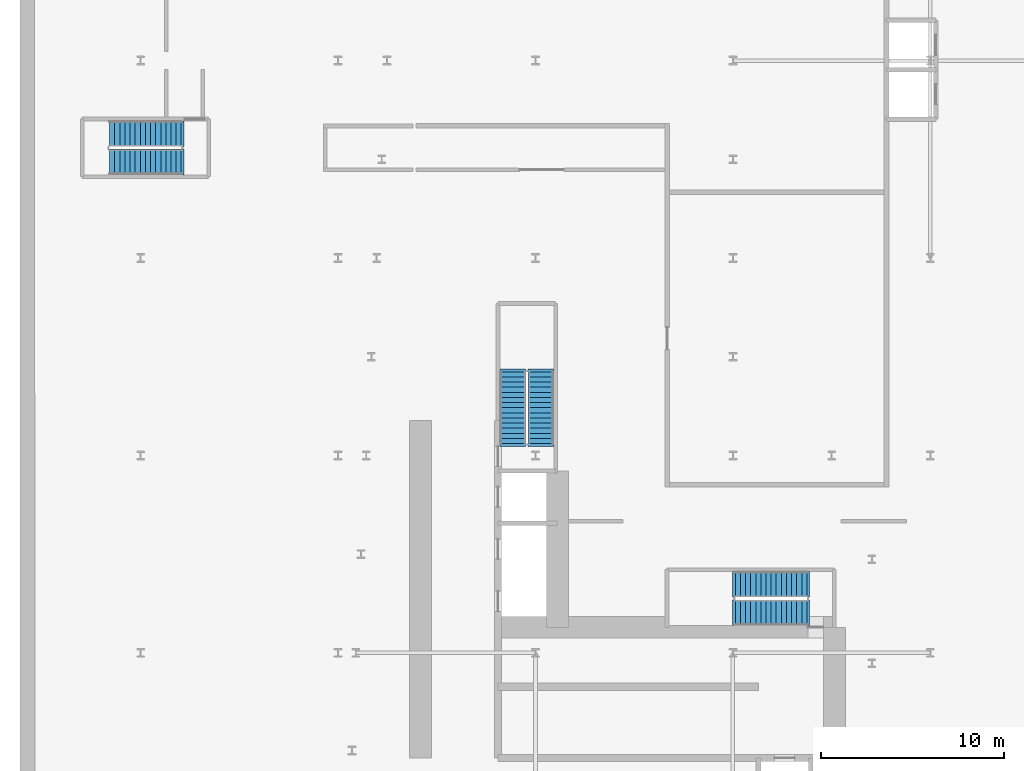
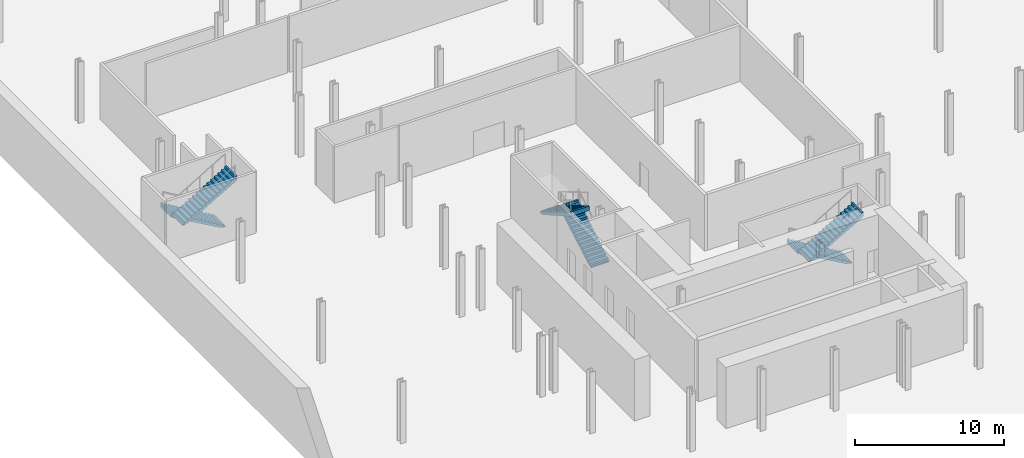
# One storey, part 15 of 19: 6 stair flights, 3 elements without a shape of their own.
"""IFC4 building model written with IfcOpenShell, lengths in metres."""

from ifc_helpers import new_model, si_unit, direction, frame, origin, place, context, subcontext, project, spatial, polyline, outline, extrude, material, layer, layer_set, type_object, element, aggregate, save


model = new_model("IFC4")

# Units and contexts
model_context = context("Model", 3, precision=1e-05, world=origin(), true_north=direction((0.0, 1.0)))
body_context = subcontext(model_context, "Body", "Model", "MODEL_VIEW")
ifc_project = project(units=[si_unit("LENGTHUNIT", "METRE"), si_unit("AREAUNIT", "SQUARE_METRE"), si_unit("VOLUMEUNIT", "CUBIC_METRE"), si_unit("PLANEANGLEUNIT", "RADIAN"), si_unit("MASSUNIT", "GRAM", prefix="KILO")], contexts=[model_context])

# Site, building, storey
site_placement = place(None, origin())
site = spatial("IfcSite", under=ifc_project, at=site_placement, CompositionType="ELEMENT")
building_placement = place(site_placement, origin())
building = spatial("IfcBuilding", under=site, at=building_placement, Name="Kheshtan School and Residences Tower", CompositionType="ELEMENT")
storey_placement = place(building_placement, frame((0.0, 0.0, -10.0)))
storey = spatial("IfcBuildingStorey", under=building, at=storey_placement, Name="B2", CompositionType="ELEMENT", Elevation=-10.0)

# Stair, stair flights
ifc_material = material(Name="Concrete C40/50", Category="concrete")
stair_type = type_object("IfcStairType", Name="Exit stair, half-turn", PredefinedType="HALF_TURN_STAIR", material=ifc_material)
stair_1_placement = place(storey_placement, origin())
stair_1 = element("IfcStair", 1, at=stair_1_placement, inside=storey, type_object=stair_type, Name="B2 Protected Exit Stair ST1", PredefinedType="HALF_TURN_STAIR")
ifc_layer = layer(ifc_material, 0.14990234375)
ifc_layer_set = layer_set([ifc_layer], Name="Stair flight 1400 Concrete C40/50")
stair_flight_type = type_object("IfcStairFlightType", Name="Stair flight 1400 Concrete C40/50", PredefinedType="STRAIGHT", material=ifc_layer_set)
stair_flight_1_placement = place(storey_placement, frame((51.64990234375, 38.550048828125, 0.0), z_axis=(0.0, 0.0, 1.0), x_axis=(-1.0, 0.0, 0.0)))
stair_flight_1 = element("IfcStairFlight", 2, at=stair_flight_1_placement, type_object=stair_flight_type, Name="ST1 flight 1", NumberOfRisers=15, NumberOfTreads=14, PredefinedType="STRAIGHT", RiserHeight=0.166666667, TreadLength=0.28, context=body_context, shape_type="SweptSolid", body=[
    extrude(outline(polyline([(-0.14990234375, -0.10009765625), (-0.14990234375, 0.0), (0.0, 0.0), (0.0, 0.166748046875), (0.280029296875, 0.166748046875), (0.280029296875, 0.333251953125), (0.56005859375, 0.333251953125), (0.56005859375, 0.5), (0.840087890625, 0.5), (0.840087890625, 0.666748046875), (1.1201171875, 0.666748046875), (1.1201171875, 0.833251953125), (1.39990234375, 0.833251953125), (1.39990234375, 1.0), (1.679931640625, 1.0), (1.679931640625, 1.166748046875), (1.9599609375, 1.166748046875), (1.9599609375, 1.333251953125), (2.239990234375, 1.333251953125), (2.239990234375, 1.5), (2.52001953125, 1.5), (2.52001953125, 1.666748046875), (2.800048828125, 1.666748046875), (2.800048828125, 1.833251953125), (3.080078125, 1.833251953125), (3.080078125, 2.0), (3.360107421875, 2.0), (3.360107421875, 2.166748046875), (3.639892578125, 2.166748046875), (3.639892578125, 2.333251953125), (3.919921875, 2.333251953125), (3.919921875, 2.5), (3.919921875, 2.52001953125), (4.06982421875, 2.52001953125), (4.06982421875, 2.158935546875), (0.29296875, 0.0), (-0.14990234375, -0.10009765625)])), frame((0.0, 0.699951171875, 0.0), z_axis=(0.0, -1.0, 0.0), x_axis=(1.0, 0.0, 0.0)), (0.0, 0.0, 1.0), 1.39990234375),
])
stair_flight_2_placement = place(storey_placement, frame((47.72998046875, 37.0, 2.5), z_axis=(0.0, 0.0, 1.0), x_axis=(1.0, 0.0, 0.0)))
stair_flight_2 = element("IfcStairFlight", 3, at=stair_flight_2_placement, type_object=stair_flight_type, Name="ST1 flight 2", NumberOfRisers=15, NumberOfTreads=14, PredefinedType="STRAIGHT", RiserHeight=0.166666667, TreadLength=0.28, context=body_context, shape_type="SweptSolid", body=[
    extrude(outline(polyline([(-0.14990234375, -0.10009765625), (-0.14990234375, 0.0), (0.0, 0.0), (0.0, 0.166748046875), (0.280029296875, 0.166748046875), (0.280029296875, 0.333251953125), (0.56005859375, 0.333251953125), (0.56005859375, 0.5), (0.840087890625, 0.5), (0.840087890625, 0.666748046875), (1.1201171875, 0.666748046875), (1.1201171875, 0.833251953125), (1.39990234375, 0.833251953125), (1.39990234375, 1.0), (1.679931640625, 1.0), (1.679931640625, 1.166748046875), (1.9599609375, 1.166748046875), (1.9599609375, 1.333251953125), (2.239990234375, 1.333251953125), (2.239990234375, 1.5), (2.52001953125, 1.5), (2.52001953125, 1.666748046875), (2.800048828125, 1.666748046875), (2.800048828125, 1.833251953125), (3.080078125, 1.833251953125), (3.080078125, 2.0), (3.360107421875, 2.0), (3.360107421875, 2.166748046875), (3.639892578125, 2.166748046875), (3.639892578125, 2.333251953125), (3.919921875, 2.333251953125), (3.919921875, 2.5), (3.919921875, 2.52001953125), (4.06982421875, 2.52001953125), (4.06982421875, 2.158935546875), (0.29296875, 0.0), (-0.14990234375, -0.10009765625)])), frame((0.0, 0.699951171875, 0.0), z_axis=(0.0, -1.0, 0.0), x_axis=(1.0, 0.0, 0.0)), (0.0, 0.0, 1.0), 1.39990234375),
])
aggregate(stair_1, [stair_flight_1, stair_flight_2])

stair_2_placement = place(storey_placement, origin())
stair_2 = element("IfcStair", 4, at=stair_2_placement, inside=storey, type_object=stair_type, Name="B2 Protected Exit Stair ST2", PredefinedType="HALF_TURN_STAIR")
stair_flight_3_placement = place(storey_placement, frame((37.10009765625, 46.25, 0.0), z_axis=(0.0, 0.0, 1.0), x_axis=(0.0, 1.0, 0.0)))
stair_flight_3 = element("IfcStairFlight", 5, at=stair_flight_3_placement, type_object=stair_flight_type, Name="ST2 flight 1", NumberOfRisers=15, NumberOfTreads=14, PredefinedType="STRAIGHT", RiserHeight=0.166666667, TreadLength=0.28, context=body_context, shape_type="SweptSolid", body=[
    extrude(outline(polyline([(-0.14990234375, -0.10009765625), (-0.14990234375, 0.0), (0.0, 0.0), (0.0, 0.166748046875), (0.280029296875, 0.166748046875), (0.280029296875, 0.333251953125), (0.56005859375, 0.333251953125), (0.56005859375, 0.5), (0.840087890625, 0.5), (0.840087890625, 0.666748046875), (1.1201171875, 0.666748046875), (1.1201171875, 0.833251953125), (1.39990234375, 0.833251953125), (1.39990234375, 1.0), (1.679931640625, 1.0), (1.679931640625, 1.166748046875), (1.9599609375, 1.166748046875), (1.9599609375, 1.333251953125), (2.239990234375, 1.333251953125), (2.239990234375, 1.5), (2.52001953125, 1.5), (2.52001953125, 1.666748046875), (2.800048828125, 1.666748046875), (2.800048828125, 1.833251953125), (3.080078125, 1.833251953125), (3.080078125, 2.0), (3.360107421875, 2.0), (3.360107421875, 2.166748046875), (3.639892578125, 2.166748046875), (3.639892578125, 2.333251953125), (3.919921875, 2.333251953125), (3.919921875, 2.5), (3.919921875, 2.52001953125), (4.06982421875, 2.52001953125), (4.06982421875, 2.158935546875), (0.29296875, 0.0), (-0.14990234375, -0.10009765625)])), frame((0.0, 0.699951171875, 0.0), z_axis=(0.0, -1.0, 0.0), x_axis=(1.0, 0.0, 0.0)), (0.0, 0.0, 1.0), 1.39990234375),
])
stair_flight_4_placement = place(storey_placement, frame((35.550048828125, 50.169921875, 2.5), z_axis=(0.0, 0.0, 1.0), x_axis=(0.0, -1.0, 0.0)))
stair_flight_4 = element("IfcStairFlight", 6, at=stair_flight_4_placement, type_object=stair_flight_type, Name="ST2 flight 2", NumberOfRisers=15, NumberOfTreads=14, PredefinedType="STRAIGHT", RiserHeight=0.166666667, TreadLength=0.28, context=body_context, shape_type="SweptSolid", body=[
    extrude(outline(polyline([(-0.14990234375, -0.10009765625), (-0.14990234375, 0.0), (0.0, 0.0), (0.0, 0.166748046875), (0.280029296875, 0.166748046875), (0.280029296875, 0.333251953125), (0.56005859375, 0.333251953125), (0.56005859375, 0.5), (0.840087890625, 0.5), (0.840087890625, 0.666748046875), (1.1201171875, 0.666748046875), (1.1201171875, 0.833251953125), (1.39990234375, 0.833251953125), (1.39990234375, 1.0), (1.679931640625, 1.0), (1.679931640625, 1.166748046875), (1.9599609375, 1.166748046875), (1.9599609375, 1.333251953125), (2.239990234375, 1.333251953125), (2.239990234375, 1.5), (2.52001953125, 1.5), (2.52001953125, 1.666748046875), (2.800048828125, 1.666748046875), (2.800048828125, 1.833251953125), (3.080078125, 1.833251953125), (3.080078125, 2.0), (3.360107421875, 2.0), (3.360107421875, 2.166748046875), (3.639892578125, 2.166748046875), (3.639892578125, 2.333251953125), (3.919921875, 2.333251953125), (3.919921875, 2.5), (3.919921875, 2.52001953125), (4.06982421875, 2.52001953125), (4.06982421875, 2.158935546875), (0.29296875, 0.0), (-0.14990234375, -0.10009765625)])), frame((0.0, 0.699951171875, 0.0), z_axis=(0.0, -1.0, 0.0), x_axis=(1.0, 0.0, 0.0)), (0.0, 0.0, 1.0), 1.39990234375),
])
aggregate(stair_2, [stair_flight_3, stair_flight_4])

stair_3_placement = place(storey_placement, origin())
stair_3 = element("IfcStair", 7, at=stair_3_placement, inside=storey, type_object=stair_type, Name="B2 Station Stair west", PredefinedType="HALF_TURN_STAIR")
stair_flight_5_placement = place(storey_placement, frame((17.419921875, 63.199951171875, 0.0), z_axis=(0.0, 0.0, 1.0), x_axis=(-1.0, 0.0, 0.0)))
stair_flight_5 = element("IfcStairFlight", 8, at=stair_flight_5_placement, type_object=stair_flight_type, Name="SS-west flight 1", NumberOfRisers=15, NumberOfTreads=14, PredefinedType="STRAIGHT", RiserHeight=0.166666667, TreadLength=0.28, context=body_context, shape_type="SweptSolid", body=[
    extrude(outline(polyline([(-0.14990234375, -0.10009765625), (-0.14990234375, 0.0), (0.0, 0.0), (0.0, 0.166748046875), (0.280029296875, 0.166748046875), (0.280029296875, 0.333251953125), (0.56005859375, 0.333251953125), (0.56005859375, 0.5), (0.840087890625, 0.5), (0.840087890625, 0.666748046875), (1.1201171875, 0.666748046875), (1.1201171875, 0.833251953125), (1.39990234375, 0.833251953125), (1.39990234375, 1.0), (1.679931640625, 1.0), (1.679931640625, 1.166748046875), (1.9599609375, 1.166748046875), (1.9599609375, 1.333251953125), (2.239990234375, 1.333251953125), (2.239990234375, 1.5), (2.52001953125, 1.5), (2.52001953125, 1.666748046875), (2.800048828125, 1.666748046875), (2.800048828125, 1.833251953125), (3.080078125, 1.833251953125), (3.080078125, 2.0), (3.360107421875, 2.0), (3.360107421875, 2.166748046875), (3.639892578125, 2.166748046875), (3.639892578125, 2.333251953125), (3.919921875, 2.333251953125), (3.919921875, 2.5), (3.919921875, 2.52001953125), (4.06982421875, 2.52001953125), (4.06982421875, 2.158935546875), (0.29296875, 0.0), (-0.14990234375, -0.10009765625)])), frame((0.0, 0.699951171875, 0.0), z_axis=(0.0, -1.0, 0.0), x_axis=(1.0, 0.0, 0.0)), (0.0, 0.0, 1.0), 1.39990234375),
])
stair_flight_6_placement = place(storey_placement, frame((13.5, 61.64990234375, 2.5), z_axis=(0.0, 0.0, 1.0), x_axis=(1.0, 0.0, 0.0)))
stair_flight_6 = element("IfcStairFlight", 9, at=stair_flight_6_placement, type_object=stair_flight_type, Name="SS-west flight 2", NumberOfRisers=15, NumberOfTreads=14, PredefinedType="STRAIGHT", RiserHeight=0.166666667, TreadLength=0.28, context=body_context, shape_type="SweptSolid", body=[
    extrude(outline(polyline([(-0.14990234375, -0.10009765625), (-0.14990234375, 0.0), (0.0, 0.0), (0.0, 0.166748046875), (0.280029296875, 0.166748046875), (0.280029296875, 0.333251953125), (0.56005859375, 0.333251953125), (0.56005859375, 0.5), (0.840087890625, 0.5), (0.840087890625, 0.666748046875), (1.1201171875, 0.666748046875), (1.1201171875, 0.833251953125), (1.39990234375, 0.833251953125), (1.39990234375, 1.0), (1.679931640625, 1.0), (1.679931640625, 1.166748046875), (1.9599609375, 1.166748046875), (1.9599609375, 1.333251953125), (2.239990234375, 1.333251953125), (2.239990234375, 1.5), (2.52001953125, 1.5), (2.52001953125, 1.666748046875), (2.800048828125, 1.666748046875), (2.800048828125, 1.833251953125), (3.080078125, 1.833251953125), (3.080078125, 2.0), (3.360107421875, 2.0), (3.360107421875, 2.166748046875), (3.639892578125, 2.166748046875), (3.639892578125, 2.333251953125), (3.919921875, 2.333251953125), (3.919921875, 2.5), (3.919921875, 2.52001953125), (4.06982421875, 2.52001953125), (4.06982421875, 2.158935546875), (0.29296875, 0.0), (-0.14990234375, -0.10009765625)])), frame((0.0, 0.699951171875, 0.0), z_axis=(0.0, -1.0, 0.0), x_axis=(1.0, 0.0, 0.0)), (0.0, 0.0, 1.0), 1.39990234375),
])
aggregate(stair_3, [stair_flight_5, stair_flight_6])

save(model, "model.ifc")
